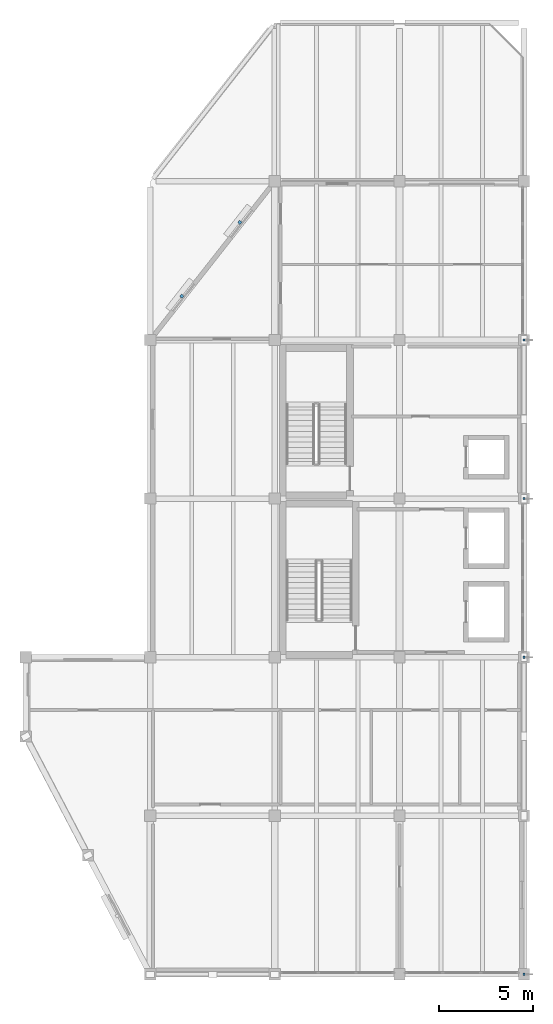
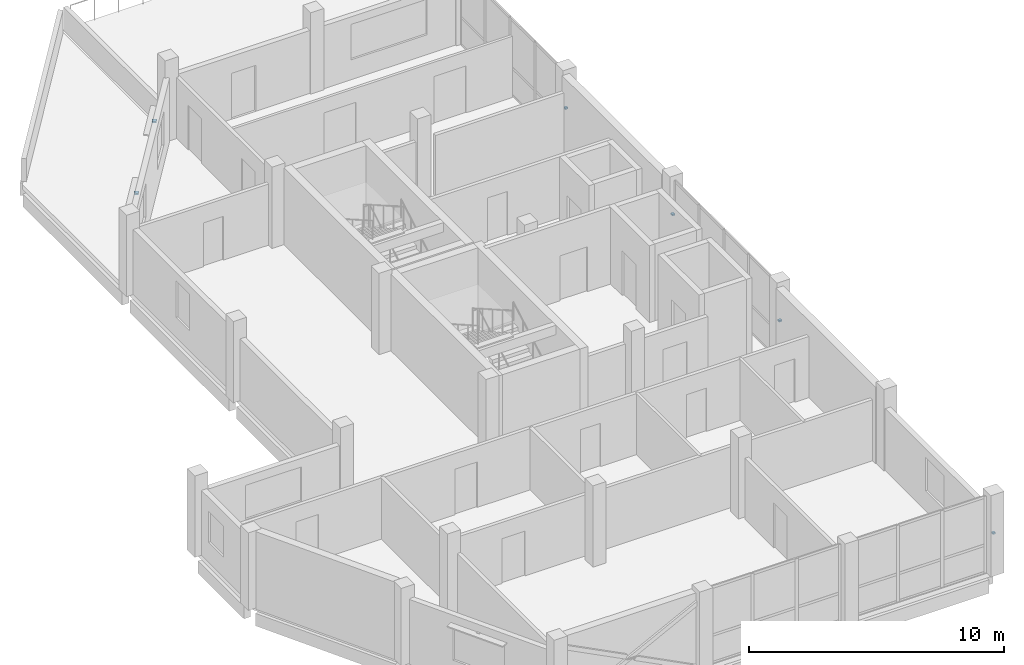
# One storey, part 8 of 10: 6 discrete accessories.
"""IFC4 building model written with IfcOpenShell, lengths in metres."""

from ifc_helpers import new_model, si_unit, direction, frame, origin, origin_2d, place, context, subcontext, project, spatial, rectangle, extrude, material, layer, layer_set, type_object, element, save


model = new_model("IFC4")

# Units and contexts
model_context = context("Model", 3, precision=1e-05, world=origin(), true_north=direction((0.0, 1.0)))
body_context = subcontext(model_context, "Body", "Model", "MODEL_VIEW")
ifc_project = project(units=[si_unit("LENGTHUNIT", "METRE"), si_unit("AREAUNIT", "SQUARE_METRE"), si_unit("VOLUMEUNIT", "CUBIC_METRE"), si_unit("PLANEANGLEUNIT", "RADIAN"), si_unit("MASSUNIT", "GRAM", prefix="KILO")], contexts=[model_context])

# Site, building, storey
site_placement = place(None, origin())
site = spatial("IfcSite", under=ifc_project, at=site_placement, CompositionType="ELEMENT")
building_placement = place(site_placement, origin())
building = spatial("IfcBuilding", under=site, at=building_placement, Name="Qaldarim Faculty of Natural and Applied Sciences", CompositionType="ELEMENT")
storey_placement = place(building_placement, frame((0.0, 0.0, 39.300048828125)))
storey = spatial("IfcBuildingStorey", under=building, at=storey_placement, Name="L09", CompositionType="ELEMENT", Elevation=39.300048828125)

# Discrete accessories
ifc_material = material(Name="Architectural stainless steel 316", Category="steel")
ifc_layer = layer(ifc_material, 0.080078125)
ifc_layer_set = layer_set([ifc_layer], Name="Architectural stainless steel 316")
discrete_accessory_type = type_object("IfcDiscreteAccessoryType", Name="FacadeBracket-SS120", PredefinedType="BRACKET", material=ifc_layer_set)
for number, where, z_axis, x_axis, name in (
    (1, (160.070068359375, 35.919921875, 2.659912109375), (0.0, 0.0, 1.0), (0.617818442277, 0.786320782112, 0.0), "Oblique solar louvre bracket SHD-OBL-NW-L09-1"),
    (2, (163.139892578125, 39.830078125, 2.659912109375), (0.0, 0.0, 1.0), (0.617818442277, 0.786320782112, 0.0), "Oblique solar louvre bracket SHD-OBL-NW-L09-2"),
):
    element("IfcDiscreteAccessory", number, at=place(storey_placement, frame(where, z_axis=z_axis, x_axis=x_axis)), inside=storey, type_object=discrete_accessory_type, Name=name, PredefinedType="BRACKET", context=body_context, shape_type="SweptSolid", body=[
        extrude(rectangle(XDim=0.159912109375, YDim=0.159912109375, at=origin_2d()), origin(), (0.0, 0.0, 1.0), 0.080078125),
    ])
for number, where, z_axis, x_axis, name in (
    (3, (178.199951171875, 0.0, 1.7998046875), (0.0, 0.0, 1.0), (1.0, 0.0, 0.0), "Tower fin bracket FIN-V5E-L09-Y01"),
    (4, (178.199951171875, 16.800048828125, 1.7998046875), (0.0, 0.0, 1.0), (1.0, 0.0, 0.0), "Tower fin bracket FIN-V5E-L09-Y03"),
    (5, (178.199951171875, 25.199951171875, 1.7998046875), (0.0, 0.0, 1.0), (1.0, 0.0, 0.0), "Tower fin bracket FIN-V5E-L09-Y04"),
    (6, (178.199951171875, 33.60009765625, 1.7998046875), (0.0, 0.0, 1.0), (1.0, 0.0, 0.0), "Tower fin bracket FIN-V5E-L09-Y05"),
):
    element("IfcDiscreteAccessory", number, at=place(storey_placement, frame(where, z_axis=z_axis, x_axis=x_axis)), inside=storey, type_object=discrete_accessory_type, Name=name, PredefinedType="BRACKET", context=body_context, shape_type="SweptSolid", body=[
        extrude(rectangle(XDim=0.1201171875, YDim=0.1201171875, at=origin_2d()), origin(), (0.0, 0.0, 1.0), 0.080078125),
    ])

save(model, "model.ifc")
